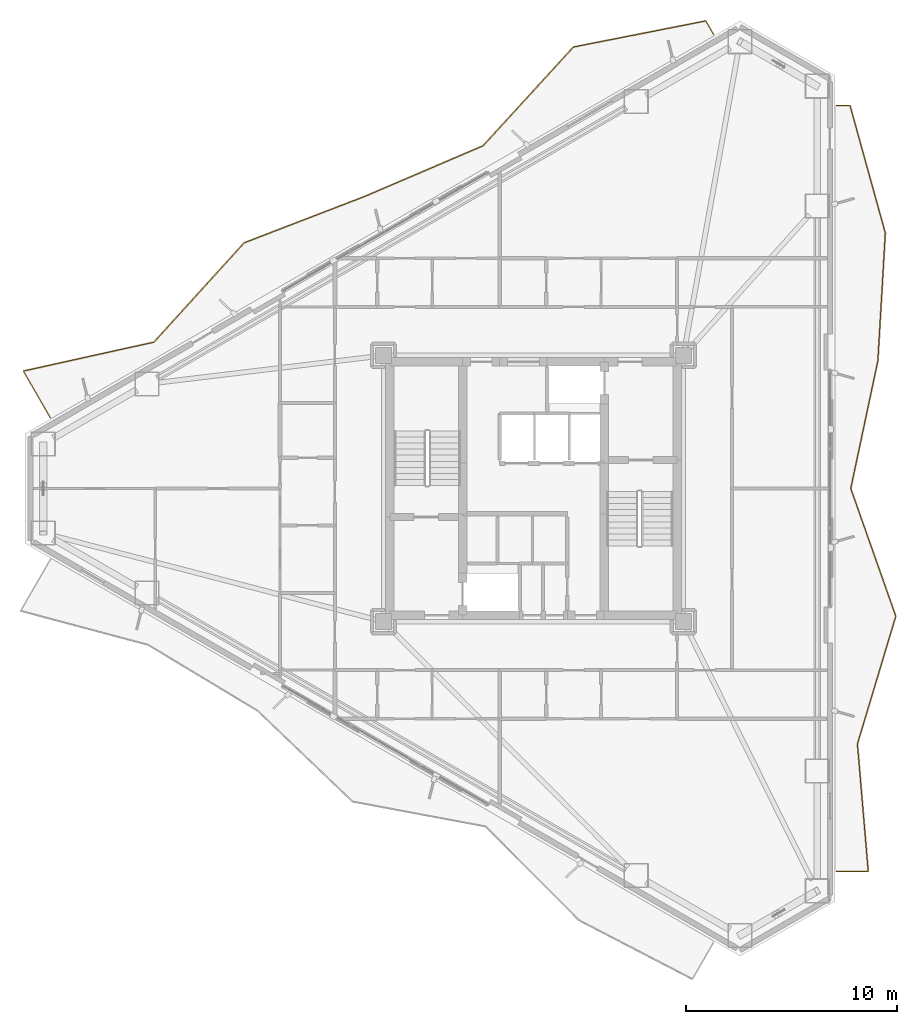
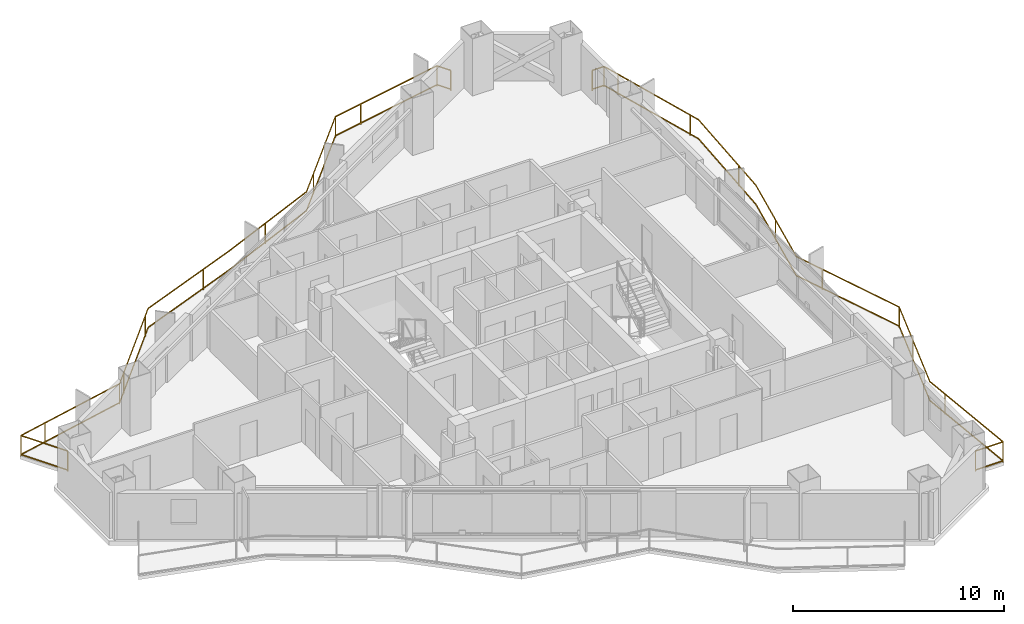
# One storey, part 22 of 22: 2 railings.
"""IFC4 building model written with IfcOpenShell, lengths in metres."""

from ifc_helpers import new_model, si_unit, direction, frame, origin, origin_2d, place, context, subcontext, project, spatial, rectangle, extrude, material, type_object, element, save


model = new_model("IFC4")

# Units and contexts
model_context = context("Model", 3, precision=1e-05, world=origin(), true_north=direction((0.0, 1.0)))
body_context = subcontext(model_context, "Body", "Model", "MODEL_VIEW")
ifc_project = project(units=[si_unit("LENGTHUNIT", "METRE"), si_unit("AREAUNIT", "SQUARE_METRE"), si_unit("VOLUMEUNIT", "CUBIC_METRE"), si_unit("PLANEANGLEUNIT", "RADIAN"), si_unit("MASSUNIT", "GRAM", prefix="KILO")], contexts=[model_context])

# Site, building, storey
site_placement = place(None, origin())
site = spatial("IfcSite", under=ifc_project, at=site_placement, CompositionType="ELEMENT")
building_placement = place(site_placement, origin())
building = spatial("IfcBuilding", under=site, at=building_placement, Name="Mersakhor Tower and Convention Hall", CompositionType="ELEMENT")
storey_placement = place(building_placement, frame((0.0, 0.0, 99.89990234375)))
storey = spatial("IfcBuildingStorey", under=building, at=storey_placement, Name="L27", CompositionType="ELEMENT", Elevation=99.89990234375)

# Railings
ifc_material = material(Name="Powder-coated galvanised steel and laminated glass balustrade", Category="steel")
railing_type = type_object("IfcRailingType", Name="RL-BAL-1200", PredefinedType="BALUSTRADE", material=ifc_material)
railing_1_placement = place(storey_placement, frame((37.541259765625, 48.2333984375, 0.0)))
element("IfcRailing", 1, at=railing_1_placement, inside=storey, type_object=railing_type, Name="L27 Sinusoidal Balcony Balustrade F1", PredefinedType="BALUSTRADE", context=body_context, shape_type="SweptSolid", body=[
    extrude(rectangle(XDim=0.048095703125, YDim=0.048095703125, at=origin_2d()), frame((0.0, 0.0, 1.17578125), z_axis=(-0.499852814723, 0.866110364569, 0.0), x_axis=(-0.866110364569, -0.499852814723, 0.0)), (0.0, 0.0, 1.0), 0.756591796875),
    extrude(rectangle(XDim=0.048095703125, YDim=0.048095703125, at=origin_2d()), frame((0.0, 0.0, 0.080078125), z_axis=(-0.499852814723, 0.866110364569, 0.0), x_axis=(-0.866110364569, -0.499852814723, 0.0)), (0.0, 0.0, 1.0), 0.756591796875),
    extrude(rectangle(XDim=0.048095703125, YDim=0.048095703125, at=origin_2d()), frame((-0.378173828125, 0.6552734375, 1.17578125), z_axis=(-0.981104772998, -0.193477193491, 0.0), x_axis=(0.193477193491, -0.981104772998, 0.0)), (0.0, 0.0, 1.0), 6.388671875),
    extrude(rectangle(XDim=0.048095703125, YDim=0.048095703125, at=origin_2d()), frame((-0.378173828125, 0.6552734375, 0.080078125), z_axis=(-0.981104772998, -0.193477193491, 0.0), x_axis=(0.193477193491, -0.981104772998, 0.0)), (0.0, 0.0, 1.0), 6.388671875),
    extrude(rectangle(XDim=0.048095703125, YDim=0.048095703125, at=origin_2d()), frame((-6.646240234375, -0.580810546875, 1.17578125), z_axis=(-0.675032190369, -0.737788277194, 0.0), x_axis=(0.737788277194, -0.675032190369, 0.0)), (0.0, 0.0, 1.0), 6.34130859375),
    extrude(rectangle(XDim=0.048095703125, YDim=0.048095703125, at=origin_2d()), frame((-6.646240234375, -0.580810546875, 0.080078125), z_axis=(-0.675032190369, -0.737788277194, 0.0), x_axis=(0.737788277194, -0.675032190369, 0.0)), (0.0, 0.0, 1.0), 6.34130859375),
    extrude(rectangle(XDim=0.048095703125, YDim=0.048095703125, at=origin_2d()), frame((-10.9267578125, -5.25927734375, 1.17578125), z_axis=(-0.919426820008, -0.393261137987, 0.0), x_axis=(0.393261137987, -0.919426820008, 0.0)), (0.0, 0.0, 1.0), 6.089599609375),
    extrude(rectangle(XDim=0.048095703125, YDim=0.048095703125, at=origin_2d()), frame((-10.9267578125, -5.25927734375, 0.080078125), z_axis=(-0.919426820008, -0.393261137987, 0.0), x_axis=(0.393261137987, -0.919426820008, 0.0)), (0.0, 0.0, 1.0), 6.089599609375),
    extrude(rectangle(XDim=0.048095703125, YDim=0.048095703125, at=origin_2d()), frame((-16.525634765625, -7.654052734375, 1.17578125), z_axis=(-0.933249966247, -0.3592276444, 0.0), x_axis=(0.3592276444, -0.933249966247, 0.0)), (0.0, 0.0, 1.0), 6.12060546875),
    extrude(rectangle(XDim=0.048095703125, YDim=0.048095703125, at=origin_2d()), frame((-16.525634765625, -7.654052734375, 0.080078125), z_axis=(-0.933249966247, -0.3592276444, 0.0), x_axis=(0.3592276444, -0.933249966247, 0.0)), (0.0, 0.0, 1.0), 6.12060546875),
    extrude(rectangle(XDim=0.048095703125, YDim=0.048095703125, at=origin_2d()), frame((-22.23779296875, -9.852783203125, 1.17578125), z_axis=(-0.672293710713, -0.740284517288, 0.0), x_axis=(0.740284517288, -0.672293710713, 0.0)), (0.0, 0.0, 1.0), 6.3486328125),
    extrude(rectangle(XDim=0.048095703125, YDim=0.048095703125, at=origin_2d()), frame((-22.23779296875, -9.852783203125, 0.080078125), z_axis=(-0.672293710713, -0.740284517288, 0.0), x_axis=(0.740284517288, -0.672293710713, 0.0)), (0.0, 0.0, 1.0), 6.3486328125),
    extrude(rectangle(XDim=0.048095703125, YDim=0.048095703125, at=origin_2d()), frame((-26.505859375, -14.552490234375, 1.17578125), z_axis=(-0.976273065037, -0.216543073043, 0.0), x_axis=(0.216543073043, -0.976273065037, 0.0)), (0.0, 0.0, 1.0), 6.339599609375),
    extrude(rectangle(XDim=0.048095703125, YDim=0.048095703125, at=origin_2d()), frame((-26.505859375, -14.552490234375, 0.080078125), z_axis=(-0.976273065037, -0.216543073043, 0.0), x_axis=(0.216543073043, -0.976273065037, 0.0)), (0.0, 0.0, 1.0), 6.339599609375),
    extrude(rectangle(XDim=0.048095703125, YDim=0.048095703125, at=origin_2d()), frame((-32.695068359375, -15.92529296875, 1.17578125), z_axis=(0.499981548585, -0.866036056452, 0.0), x_axis=(0.866036056452, 0.499981548585, 0.0)), (0.0, 0.0, 1.0), 2.5556640625),
    extrude(rectangle(XDim=0.048095703125, YDim=0.048095703125, at=origin_2d()), frame((-32.695068359375, -15.92529296875, 0.080078125), z_axis=(0.499981548585, -0.866036056452, 0.0), x_axis=(0.866036056452, 0.499981548585, 0.0)), (0.0, 0.0, 1.0), 2.5556640625),
    extrude(rectangle(XDim=0.0419921875, YDim=0.0419921875, at=origin_2d()), origin(), (0.0, 0.0, 1.0), 1.15185546875),
    extrude(rectangle(XDim=0.0419921875, YDim=0.0419921875, at=origin_2d()), frame((-0.378173828125, 0.6552734375, 0.0)), (0.0, 0.0, 1.0), 1.15185546875),
    extrude(rectangle(XDim=0.0419921875, YDim=0.0419921875, at=origin_2d()), frame((-5.08740234375, -0.2734375, 0.0)), (0.0, 0.0, 1.0), 1.15185546875),
    extrude(rectangle(XDim=0.0419921875, YDim=0.0419921875, at=origin_2d()), frame((-6.646240234375, -0.580810546875, 0.0)), (0.0, 0.0, 1.0), 1.15185546875),
    extrude(rectangle(XDim=0.0419921875, YDim=0.0419921875, at=origin_2d()), frame((-9.886474609375, -4.122314453125, 0.0)), (0.0, 0.0, 1.0), 1.15185546875),
    extrude(rectangle(XDim=0.0419921875, YDim=0.0419921875, at=origin_2d()), frame((-13.923095703125, -6.540771484375, 0.0)), (0.0, 0.0, 1.0), 1.15185546875),
    extrude(rectangle(XDim=0.0419921875, YDim=0.0419921875, at=origin_2d()), frame((-18.363525390625, -8.361572265625, 0.0)), (0.0, 0.0, 1.0), 1.15185546875),
    extrude(rectangle(XDim=0.0419921875, YDim=0.0419921875, at=origin_2d()), frame((-22.673828125, -10.3330078125, 0.0)), (0.0, 0.0, 1.0), 1.15185546875),
    extrude(rectangle(XDim=0.0419921875, YDim=0.0419921875, at=origin_2d()), frame((-25.90087890625, -13.88623046875, 0.0)), (0.0, 0.0, 1.0), 1.15185546875),
    extrude(rectangle(XDim=0.0419921875, YDim=0.0419921875, at=origin_2d()), frame((-26.505859375, -14.552490234375, 0.0)), (0.0, 0.0, 1.0), 1.15185546875),
    extrude(rectangle(XDim=0.0419921875, YDim=0.0419921875, at=origin_2d()), frame((-31.19189453125, -15.591796875, 0.0)), (0.0, 0.0, 1.0), 1.15185546875),
    extrude(rectangle(XDim=0.0419921875, YDim=0.0419921875, at=origin_2d()), frame((-32.695068359375, -15.92529296875, 0.0)), (0.0, 0.0, 1.0), 1.15185546875),
    extrude(rectangle(XDim=0.0419921875, YDim=0.0419921875, at=origin_2d()), frame((-31.417236328125, -18.138671875, 0.0)), (0.0, 0.0, 1.0), 1.15185546875),
])
railing_2_placement = place(storey_placement, frame((43.334716796875, 8.611328125, 0.0)))
element("IfcRailing", 2, at=railing_2_placement, inside=storey, type_object=railing_type, Name="L27 Sinusoidal Balcony Balustrade F2", PredefinedType="BALUSTRADE", context=body_context, shape_type="SweptSolid", body=[
    extrude(rectangle(XDim=0.048095703125, YDim=0.048095703125, at=origin_2d()), frame((0.0, 0.0, 1.17578125), z_axis=(1.0, 0.0, 0.0), x_axis=(0.0, 1.0, 0.0)), (0.0, 0.0, 1.0), 1.515625),
    extrude(rectangle(XDim=0.048095703125, YDim=0.048095703125, at=origin_2d()), frame((0.0, 0.0, 0.080078125), z_axis=(1.0, 0.0, 0.0), x_axis=(0.0, 1.0, 0.0)), (0.0, 0.0, 1.0), 1.515625),
    extrude(rectangle(XDim=0.048095703125, YDim=0.048095703125, at=origin_2d()), frame((1.515625, 0.0, 1.17578125), z_axis=(-0.084573753305, 0.996417221977, 0.0), x_axis=(-0.996417221977, -0.084573753305, 0.0)), (0.0, 0.0, 1.0), 6.06787109375),
    extrude(rectangle(XDim=0.048095703125, YDim=0.048095703125, at=origin_2d()), frame((1.515625, 0.0, 0.080078125), z_axis=(-0.084573753305, 0.996417221977, 0.0), x_axis=(-0.996417221977, -0.084573753305, 0.0)), (0.0, 0.0, 1.0), 6.06787109375),
    extrude(rectangle(XDim=0.048095703125, YDim=0.048095703125, at=origin_2d()), frame((1.00244140625, 6.046142578125, 1.17578125), z_axis=(0.287851606357, 0.957675024587, 0.0), x_axis=(-0.957675024587, 0.287851606357, 0.0)), (0.0, 0.0, 1.0), 6.313720703125),
    extrude(rectangle(XDim=0.048095703125, YDim=0.048095703125, at=origin_2d()), frame((1.00244140625, 6.046142578125, 0.080078125), z_axis=(0.287851606357, 0.957675024587, 0.0), x_axis=(-0.957675024587, 0.287851606357, 0.0)), (0.0, 0.0, 1.0), 6.313720703125),
    extrude(rectangle(XDim=0.048095703125, YDim=0.048095703125, at=origin_2d()), frame((2.81982421875, 12.092529296875, 1.17578125), z_axis=(-0.332732476496, 0.943021261205, 0.0), x_axis=(-0.943021261205, -0.332732476496, 0.0)), (0.0, 0.0, 1.0), 6.411376953125),
    extrude(rectangle(XDim=0.048095703125, YDim=0.048095703125, at=origin_2d()), frame((2.81982421875, 12.092529296875, 0.080078125), z_axis=(-0.332732476496, 0.943021261205, 0.0), x_axis=(-0.943021261205, -0.332732476496, 0.0)), (0.0, 0.0, 1.0), 6.411376953125),
    extrude(rectangle(XDim=0.048095703125, YDim=0.048095703125, at=origin_2d()), frame((0.6865234375, 18.138671875, 1.17578125), z_axis=(0.207724119027, 0.978187451552, 0.0), x_axis=(-0.978187451552, 0.207724119027, 0.0)), (0.0, 0.0, 1.0), 6.180908203125),
    extrude(rectangle(XDim=0.048095703125, YDim=0.048095703125, at=origin_2d()), frame((0.6865234375, 18.138671875, 0.080078125), z_axis=(0.207724119027, 0.978187451552, 0.0), x_axis=(-0.978187451552, 0.207724119027, 0.0)), (0.0, 0.0, 1.0), 6.180908203125),
    extrude(rectangle(XDim=0.048095703125, YDim=0.048095703125, at=origin_2d()), frame((1.970458984375, 24.184814453125, 1.17578125), z_axis=(0.05832740425, 0.998297507717, 0.0), x_axis=(-0.998297507717, 0.05832740425, 0.0)), (0.0, 0.0, 1.0), 6.056640625),
    extrude(rectangle(XDim=0.048095703125, YDim=0.048095703125, at=origin_2d()), frame((1.970458984375, 24.184814453125, 0.080078125), z_axis=(0.05832740425, 0.998297507717, 0.0), x_axis=(-0.998297507717, 0.05832740425, 0.0)), (0.0, 0.0, 1.0), 6.056640625),
    extrude(rectangle(XDim=0.048095703125, YDim=0.048095703125, at=origin_2d()), frame((2.32373046875, 30.231201171875, 1.17578125), z_axis=(-0.266806794124, 0.963750037411, 0.0), x_axis=(-0.963750037411, -0.266806794124, 0.0)), (0.0, 0.0, 1.0), 6.2734375),
    extrude(rectangle(XDim=0.048095703125, YDim=0.048095703125, at=origin_2d()), frame((2.32373046875, 30.231201171875, 0.080078125), z_axis=(-0.266806794124, 0.963750037411, 0.0), x_axis=(-0.963750037411, -0.266806794124, 0.0)), (0.0, 0.0, 1.0), 6.2734375),
    extrude(rectangle(XDim=0.048095703125, YDim=0.048095703125, at=origin_2d()), frame((0.64990234375, 36.27734375, 1.17578125), z_axis=(-1.0, 0.0, 0.0), x_axis=(0.0, -1.0, 0.0)), (0.0, 0.0, 1.0), 0.64990234375),
    extrude(rectangle(XDim=0.048095703125, YDim=0.048095703125, at=origin_2d()), frame((0.64990234375, 36.27734375, 0.080078125), z_axis=(-1.0, 0.0, 0.0), x_axis=(0.0, -1.0, 0.0)), (0.0, 0.0, 1.0), 0.64990234375),
    extrude(rectangle(XDim=0.0419921875, YDim=0.0419921875, at=origin_2d()), origin(), (0.0, 0.0, 1.0), 1.15185546875),
    extrude(rectangle(XDim=0.0419921875, YDim=0.0419921875, at=origin_2d()), frame((1.515625, 0.0, 0.0)), (0.0, 0.0, 1.0), 1.15185546875),
    extrude(rectangle(XDim=0.0419921875, YDim=0.0419921875, at=origin_2d()), frame((1.109619140625, 4.78271484375, 0.0)), (0.0, 0.0, 1.0), 1.15185546875),
    extrude(rectangle(XDim=0.0419921875, YDim=0.0419921875, at=origin_2d()), frame((2.019287109375, 9.4287109375, 0.0)), (0.0, 0.0, 1.0), 1.15185546875),
    extrude(rectangle(XDim=0.0419921875, YDim=0.0419921875, at=origin_2d()), frame((2.81982421875, 12.092529296875, 0.0)), (0.0, 0.0, 1.0), 1.15185546875),
    extrude(rectangle(XDim=0.0419921875, YDim=0.0419921875, at=origin_2d()), frame((1.22265625, 16.619140625, 0.0)), (0.0, 0.0, 1.0), 1.15185546875),
    extrude(rectangle(XDim=0.0419921875, YDim=0.0419921875, at=origin_2d()), frame((1.348876953125, 21.257568359375, 0.0)), (0.0, 0.0, 1.0), 1.15185546875),
    extrude(rectangle(XDim=0.0419921875, YDim=0.0419921875, at=origin_2d()), frame((2.075927734375, 25.9892578125, 0.0)), (0.0, 0.0, 1.0), 1.15185546875),
    extrude(rectangle(XDim=0.0419921875, YDim=0.0419921875, at=origin_2d()), frame((2.1767578125, 30.76220703125, 0.0)), (0.0, 0.0, 1.0), 1.15185546875),
    extrude(rectangle(XDim=0.0419921875, YDim=0.0419921875, at=origin_2d()), frame((0.89599609375, 35.38818359375, 0.0)), (0.0, 0.0, 1.0), 1.15185546875),
    extrude(rectangle(XDim=0.0419921875, YDim=0.0419921875, at=origin_2d()), frame((0.64990234375, 36.27734375, 0.0)), (0.0, 0.0, 1.0), 1.15185546875),
    extrude(rectangle(XDim=0.0419921875, YDim=0.0419921875, at=origin_2d()), frame((0.0, 36.27734375, 0.0)), (0.0, 0.0, 1.0), 1.15185546875),
])

save(model, "model.ifc")
